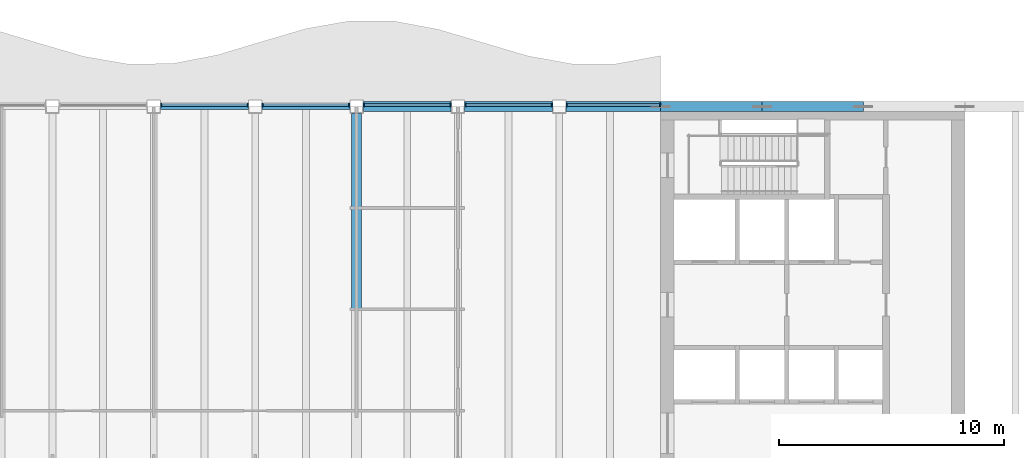
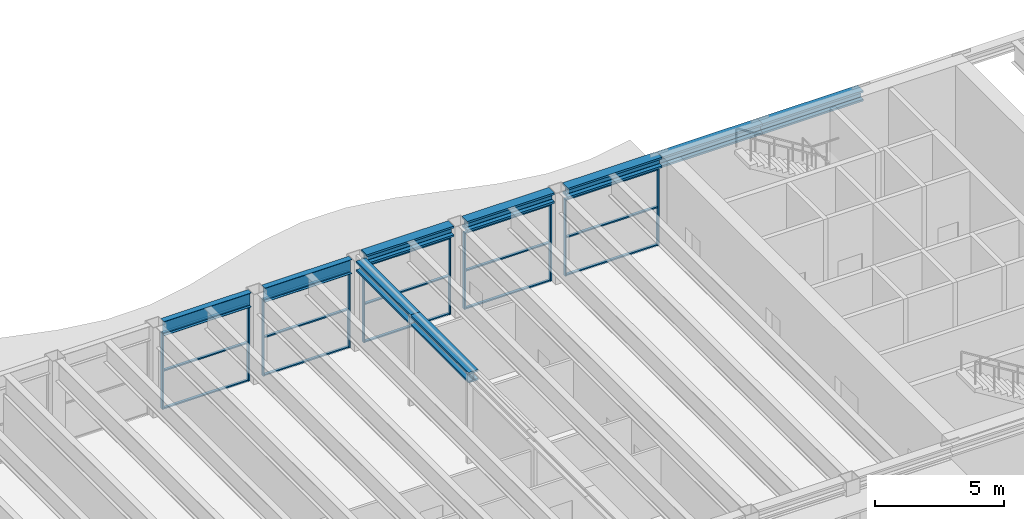
# One storey, part 7 of 15: 32 members, 2 beams, 5 elements without a shape of their own.
"""IFC4 building model written with IfcOpenShell, lengths in metres."""

from ifc_helpers import new_model, si_unit, direction, frame, origin, origin_2d, place, context, subcontext, project, spatial, rectangle, i_section, extrude, material, material_profile, profile_set, type_object, element, aggregate, save


model = new_model("IFC4")

# Units and contexts
model_context = context("Model", 3, precision=1e-05, world=origin(), true_north=direction((0.0, 1.0)))
body_context = subcontext(model_context, "Body", "Model", "MODEL_VIEW")
ifc_project = project(units=[si_unit("LENGTHUNIT", "METRE"), si_unit("AREAUNIT", "SQUARE_METRE"), si_unit("VOLUMEUNIT", "CUBIC_METRE"), si_unit("PLANEANGLEUNIT", "RADIAN"), si_unit("MASSUNIT", "GRAM", prefix="KILO")], contexts=[model_context])

# Site, building, storey
site_placement = place(None, origin())
site = spatial("IfcSite", under=ifc_project, at=site_placement, CompositionType="ELEMENT")
building_placement = place(site_placement, origin())
building = spatial("IfcBuilding", under=site, at=building_placement, Name="Sennacour Bend Tower", CompositionType="ELEMENT")
storey_placement = place(building_placement, frame((0.0, 0.0, 341.0)))
storey = spatial("IfcBuildingStorey", under=building, at=storey_placement, Name="L78", CompositionType="ELEMENT", Elevation=341.0)

# Curtain wall, members
ifc_material_1 = material(Name="Bronze anodised aluminium curtain wall with clear glass", Category="aluminium")
curtain_wall_type = type_object("IfcCurtainWallType", Name="CURTAIN WALL EXEC", PredefinedType="NOTDEFINED", material=ifc_material_1)
curtain_wall_1_placement = place(storey_placement, origin())
curtain_wall_1 = element("IfcCurtainWall", 1, at=curtain_wall_1_placement, inside=storey, type_object=curtain_wall_type, Name="Executive floor glass wall L78", PredefinedType="NOTDEFINED")
ifc_material_2 = material(Name="Aluminium 6063-T6", Category="aluminium")
ifc_material_profile_1 = material_profile(ifc_material_2, rectangle(XDim=0.14990234375, YDim=0.06005859375, at=origin_2d()), Name="Aluminium 6063-T6", Category="aluminium")
ifc_profile_set_1 = profile_set([ifc_material_profile_1], Name="Aluminium 6063-T6")
member_type_1 = type_object("IfcMemberType", Name="CW-MULLION-150X60", PredefinedType="MULLION", material=ifc_profile_set_1)
member_1_placement = place(storey_placement, frame((53.969970703125, 22.574951171875, 0.0), z_axis=(0.0, 0.0, 1.0), x_axis=(0.0, -1.0, 0.0)))
member_1 = element("IfcMember", 2, at=member_1_placement, type_object=member_type_1, Name="GW3 curtain wall mullion 1", PredefinedType="MULLION", context=body_context, shape_type="SweptSolid", body=[
    extrude(rectangle(XDim=0.14990234375, YDim=0.06005859375, at=origin_2d()), origin(), (0.0, 0.0, 1.0), 3.6220703125),
])
member_2_placement = place(storey_placement, frame((49.830078125, 22.574951171875, 0.0), z_axis=(0.0, 0.0, 1.0), x_axis=(0.0, -1.0, 0.0)))
member_2 = element("IfcMember", 3, at=member_2_placement, type_object=member_type_1, Name="GW3 curtain wall mullion 2", PredefinedType="MULLION", context=body_context, shape_type="SweptSolid", body=[
    extrude(rectangle(XDim=0.14990234375, YDim=0.06005859375, at=origin_2d()), origin(), (0.0, 0.0, 1.0), 3.6220703125),
])

curtain_wall_2_placement = place(storey_placement, origin())
curtain_wall_2 = element("IfcCurtainWall", 4, at=curtain_wall_2_placement, inside=storey, type_object=curtain_wall_type, Name="Executive floor glass wall L78", PredefinedType="NOTDEFINED")
member_3_placement = place(storey_placement, frame((49.169921875, 22.574951171875, 0.0), z_axis=(0.0, 0.0, 1.0), x_axis=(0.0, -1.0, 0.0)))
member_3 = element("IfcMember", 5, at=member_3_placement, type_object=member_type_1, Name="GW3 curtain wall mullion 1", PredefinedType="MULLION", context=body_context, shape_type="SweptSolid", body=[
    extrude(rectangle(XDim=0.14990234375, YDim=0.06005859375, at=origin_2d()), origin(), (0.0, 0.0, 1.0), 3.6220703125),
])
member_4_placement = place(storey_placement, frame((45.330078125, 22.574951171875, 0.0), z_axis=(0.0, 0.0, 1.0), x_axis=(0.0, -1.0, 0.0)))
member_4 = element("IfcMember", 6, at=member_4_placement, type_object=member_type_1, Name="GW3 curtain wall mullion 2", PredefinedType="MULLION", context=body_context, shape_type="SweptSolid", body=[
    extrude(rectangle(XDim=0.14990234375, YDim=0.06005859375, at=origin_2d()), origin(), (0.0, 0.0, 1.0), 3.6220703125),
])

curtain_wall_3_placement = place(storey_placement, origin())
curtain_wall_3 = element("IfcCurtainWall", 7, at=curtain_wall_3_placement, inside=storey, type_object=curtain_wall_type, Name="Executive floor glass wall L78", PredefinedType="NOTDEFINED")
member_5_placement = place(storey_placement, frame((44.669921875, 22.574951171875, 0.0), z_axis=(0.0, 0.0, 1.0), x_axis=(0.0, -1.0, 0.0)))
member_5 = element("IfcMember", 8, at=member_5_placement, type_object=member_type_1, Name="GW3 curtain wall mullion 1", PredefinedType="MULLION", context=body_context, shape_type="SweptSolid", body=[
    extrude(rectangle(XDim=0.14990234375, YDim=0.06005859375, at=origin_2d()), origin(), (0.0, 0.0, 1.0), 3.6220703125),
])
member_6_placement = place(storey_placement, frame((40.830078125, 22.574951171875, 0.0), z_axis=(0.0, 0.0, 1.0), x_axis=(0.0, -1.0, 0.0)))
member_6 = element("IfcMember", 9, at=member_6_placement, type_object=member_type_1, Name="GW3 curtain wall mullion 2", PredefinedType="MULLION", context=body_context, shape_type="SweptSolid", body=[
    extrude(rectangle(XDim=0.14990234375, YDim=0.06005859375, at=origin_2d()), origin(), (0.0, 0.0, 1.0), 3.6220703125),
])

curtain_wall_4_placement = place(storey_placement, origin())
curtain_wall_4 = element("IfcCurtainWall", 10, at=curtain_wall_4_placement, inside=storey, type_object=curtain_wall_type, Name="Executive floor glass wall L78", PredefinedType="NOTDEFINED")
member_7_placement = place(storey_placement, frame((40.169921875, 22.574951171875, 0.0), z_axis=(0.0, 0.0, 1.0), x_axis=(0.0, -1.0, 0.0)))
member_7 = element("IfcMember", 11, at=member_7_placement, type_object=member_type_1, Name="GW3 curtain wall mullion 1", PredefinedType="MULLION", context=body_context, shape_type="SweptSolid", body=[
    extrude(rectangle(XDim=0.14990234375, YDim=0.06005859375, at=origin_2d()), origin(), (0.0, 0.0, 1.0), 3.6220703125),
])
member_8_placement = place(storey_placement, frame((36.330078125, 22.574951171875, 0.0), z_axis=(0.0, 0.0, 1.0), x_axis=(0.0, -1.0, 0.0)))
member_8 = element("IfcMember", 12, at=member_8_placement, type_object=member_type_1, Name="GW3 curtain wall mullion 2", PredefinedType="MULLION", context=body_context, shape_type="SweptSolid", body=[
    extrude(rectangle(XDim=0.14990234375, YDim=0.06005859375, at=origin_2d()), origin(), (0.0, 0.0, 1.0), 3.6220703125),
])

curtain_wall_5_placement = place(storey_placement, origin())
curtain_wall_5 = element("IfcCurtainWall", 13, at=curtain_wall_5_placement, inside=storey, type_object=curtain_wall_type, Name="Executive floor glass wall L78", PredefinedType="NOTDEFINED")
member_9_placement = place(storey_placement, frame((35.669921875, 22.574951171875, 0.0), z_axis=(0.0, 0.0, 1.0), x_axis=(0.0, -1.0, 0.0)))
member_9 = element("IfcMember", 14, at=member_9_placement, type_object=member_type_1, Name="GW3 curtain wall mullion 1", PredefinedType="MULLION", context=body_context, shape_type="SweptSolid", body=[
    extrude(rectangle(XDim=0.14990234375, YDim=0.06005859375, at=origin_2d()), origin(), (0.0, 0.0, 1.0), 3.6220703125),
])
member_10_placement = place(storey_placement, frame((31.830078125, 22.574951171875, 0.0), z_axis=(0.0, 0.0, 1.0), x_axis=(0.0, -1.0, 0.0)))
member_10 = element("IfcMember", 15, at=member_10_placement, type_object=member_type_1, Name="GW3 curtain wall mullion 2", PredefinedType="MULLION", context=body_context, shape_type="SweptSolid", body=[
    extrude(rectangle(XDim=0.14990234375, YDim=0.06005859375, at=origin_2d()), origin(), (0.0, 0.0, 1.0), 3.6220703125),
])

# Member
ifc_material_profile_2 = material_profile(ifc_material_2, rectangle(XDim=0.1201171875, YDim=0.06005859375, at=origin_2d()), Name="Aluminium 6063-T6", Category="aluminium")
ifc_profile_set_2 = profile_set([ifc_material_profile_2], Name="Aluminium 6063-T6")
member_type_2 = type_object("IfcMemberType", Name="CW-TRANSOM-120X60", PredefinedType="USERDEFINED", material=ifc_profile_set_2)
member_11_placement = place(storey_placement, frame((53.93994140625, 22.574951171875, 0.030029296875), z_axis=(-1.0, 0.0, 0.0), x_axis=(0.0, -1.0, 0.0)))
member_11 = element("IfcMember", 16, at=member_11_placement, type_object=member_type_2, Name="GW3 curtain wall transom 1.1", ObjectType="TRANSOM", PredefinedType="USERDEFINED", context=body_context, shape_type="SweptSolid", body=[
    extrude(rectangle(XDim=0.1201171875, YDim=0.06005859375, at=origin_2d()), origin(), (0.0, 0.0, 1.0), 4.079833984375),
])

member_12_placement = place(storey_placement, frame((53.93994140625, 22.574951171875, 1.81103515625), z_axis=(-1.0, 0.0, 0.0), x_axis=(0.0, -1.0, 0.0)))
member_12 = element("IfcMember", 17, at=member_12_placement, type_object=member_type_2, Name="GW3 curtain wall transom 1.2", ObjectType="TRANSOM", PredefinedType="USERDEFINED", context=body_context, shape_type="SweptSolid", body=[
    extrude(rectangle(XDim=0.1201171875, YDim=0.06005859375, at=origin_2d()), origin(), (0.0, 0.0, 1.0), 4.079833984375),
])

member_13_placement = place(storey_placement, frame((53.93994140625, 22.574951171875, 3.592041015625), z_axis=(-1.0, 0.0, 0.0), x_axis=(0.0, -1.0, 0.0)))
member_13 = element("IfcMember", 18, at=member_13_placement, type_object=member_type_2, Name="GW3 curtain wall transom 1.3", ObjectType="TRANSOM", PredefinedType="USERDEFINED", context=body_context, shape_type="SweptSolid", body=[
    extrude(rectangle(XDim=0.1201171875, YDim=0.06005859375, at=origin_2d()), origin(), (0.0, 0.0, 1.0), 4.079833984375),
])

aggregate(curtain_wall_1, [member_1, member_2, member_11, member_12, member_13])

member_14_placement = place(storey_placement, frame((49.139892578125, 22.574951171875, 0.030029296875), z_axis=(-1.0, 0.0, 0.0), x_axis=(0.0, -1.0, 0.0)))
member_14 = element("IfcMember", 19, at=member_14_placement, type_object=member_type_2, Name="GW3 curtain wall transom 1.1", ObjectType="TRANSOM", PredefinedType="USERDEFINED", context=body_context, shape_type="SweptSolid", body=[
    extrude(rectangle(XDim=0.1201171875, YDim=0.06005859375, at=origin_2d()), origin(), (0.0, 0.0, 1.0), 3.77978515625),
])

member_15_placement = place(storey_placement, frame((49.139892578125, 22.574951171875, 1.81103515625), z_axis=(-1.0, 0.0, 0.0), x_axis=(0.0, -1.0, 0.0)))
member_15 = element("IfcMember", 20, at=member_15_placement, type_object=member_type_2, Name="GW3 curtain wall transom 1.2", ObjectType="TRANSOM", PredefinedType="USERDEFINED", context=body_context, shape_type="SweptSolid", body=[
    extrude(rectangle(XDim=0.1201171875, YDim=0.06005859375, at=origin_2d()), origin(), (0.0, 0.0, 1.0), 3.77978515625),
])

member_16_placement = place(storey_placement, frame((49.139892578125, 22.574951171875, 3.592041015625), z_axis=(-1.0, 0.0, 0.0), x_axis=(0.0, -1.0, 0.0)))
member_16 = element("IfcMember", 21, at=member_16_placement, type_object=member_type_2, Name="GW3 curtain wall transom 1.3", ObjectType="TRANSOM", PredefinedType="USERDEFINED", context=body_context, shape_type="SweptSolid", body=[
    extrude(rectangle(XDim=0.1201171875, YDim=0.06005859375, at=origin_2d()), origin(), (0.0, 0.0, 1.0), 3.77978515625),
])

aggregate(curtain_wall_2, [member_3, member_4, member_14, member_15, member_16])

member_17_placement = place(storey_placement, frame((44.639892578125, 22.574951171875, 0.030029296875), z_axis=(-1.0, 0.0, 0.0), x_axis=(0.0, -1.0, 0.0)))
member_17 = element("IfcMember", 22, at=member_17_placement, type_object=member_type_2, Name="GW3 curtain wall transom 1.1", ObjectType="TRANSOM", PredefinedType="USERDEFINED", context=body_context, shape_type="SweptSolid", body=[
    extrude(rectangle(XDim=0.1201171875, YDim=0.06005859375, at=origin_2d()), origin(), (0.0, 0.0, 1.0), 3.77978515625),
])

member_18_placement = place(storey_placement, frame((44.639892578125, 22.574951171875, 1.81103515625), z_axis=(-1.0, 0.0, 0.0), x_axis=(0.0, -1.0, 0.0)))
member_18 = element("IfcMember", 23, at=member_18_placement, type_object=member_type_2, Name="GW3 curtain wall transom 1.2", ObjectType="TRANSOM", PredefinedType="USERDEFINED", context=body_context, shape_type="SweptSolid", body=[
    extrude(rectangle(XDim=0.1201171875, YDim=0.06005859375, at=origin_2d()), origin(), (0.0, 0.0, 1.0), 3.77978515625),
])

member_19_placement = place(storey_placement, frame((44.639892578125, 22.574951171875, 3.592041015625), z_axis=(-1.0, 0.0, 0.0), x_axis=(0.0, -1.0, 0.0)))
member_19 = element("IfcMember", 24, at=member_19_placement, type_object=member_type_2, Name="GW3 curtain wall transom 1.3", ObjectType="TRANSOM", PredefinedType="USERDEFINED", context=body_context, shape_type="SweptSolid", body=[
    extrude(rectangle(XDim=0.1201171875, YDim=0.06005859375, at=origin_2d()), origin(), (0.0, 0.0, 1.0), 3.77978515625),
])

aggregate(curtain_wall_3, [member_5, member_6, member_17, member_18, member_19])

member_20_placement = place(storey_placement, frame((40.139892578125, 22.574951171875, 0.030029296875), z_axis=(-1.0, 0.0, 0.0), x_axis=(0.0, -1.0, 0.0)))
member_20 = element("IfcMember", 25, at=member_20_placement, type_object=member_type_2, Name="GW3 curtain wall transom 1.1", ObjectType="TRANSOM", PredefinedType="USERDEFINED", context=body_context, shape_type="SweptSolid", body=[
    extrude(rectangle(XDim=0.1201171875, YDim=0.06005859375, at=origin_2d()), origin(), (0.0, 0.0, 1.0), 3.77978515625),
])

member_21_placement = place(storey_placement, frame((40.139892578125, 22.574951171875, 1.81103515625), z_axis=(-1.0, 0.0, 0.0), x_axis=(0.0, -1.0, 0.0)))
member_21 = element("IfcMember", 26, at=member_21_placement, type_object=member_type_2, Name="GW3 curtain wall transom 1.2", ObjectType="TRANSOM", PredefinedType="USERDEFINED", context=body_context, shape_type="SweptSolid", body=[
    extrude(rectangle(XDim=0.1201171875, YDim=0.06005859375, at=origin_2d()), origin(), (0.0, 0.0, 1.0), 3.77978515625),
])

member_22_placement = place(storey_placement, frame((40.139892578125, 22.574951171875, 3.592041015625), z_axis=(-1.0, 0.0, 0.0), x_axis=(0.0, -1.0, 0.0)))
member_22 = element("IfcMember", 27, at=member_22_placement, type_object=member_type_2, Name="GW3 curtain wall transom 1.3", ObjectType="TRANSOM", PredefinedType="USERDEFINED", context=body_context, shape_type="SweptSolid", body=[
    extrude(rectangle(XDim=0.1201171875, YDim=0.06005859375, at=origin_2d()), origin(), (0.0, 0.0, 1.0), 3.77978515625),
])

aggregate(curtain_wall_4, [member_7, member_8, member_20, member_21, member_22])

member_23_placement = place(storey_placement, frame((35.639892578125, 22.574951171875, 0.030029296875), z_axis=(-1.0, 0.0, 0.0), x_axis=(0.0, -1.0, 0.0)))
member_23 = element("IfcMember", 28, at=member_23_placement, type_object=member_type_2, Name="GW3 curtain wall transom 1.1", ObjectType="TRANSOM", PredefinedType="USERDEFINED", context=body_context, shape_type="SweptSolid", body=[
    extrude(rectangle(XDim=0.1201171875, YDim=0.06005859375, at=origin_2d()), origin(), (0.0, 0.0, 1.0), 3.77978515625),
])

member_24_placement = place(storey_placement, frame((35.639892578125, 22.574951171875, 1.81103515625), z_axis=(-1.0, 0.0, 0.0), x_axis=(0.0, -1.0, 0.0)))
member_24 = element("IfcMember", 29, at=member_24_placement, type_object=member_type_2, Name="GW3 curtain wall transom 1.2", ObjectType="TRANSOM", PredefinedType="USERDEFINED", context=body_context, shape_type="SweptSolid", body=[
    extrude(rectangle(XDim=0.1201171875, YDim=0.06005859375, at=origin_2d()), origin(), (0.0, 0.0, 1.0), 3.77978515625),
])

member_25_placement = place(storey_placement, frame((35.639892578125, 22.574951171875, 3.592041015625), z_axis=(-1.0, 0.0, 0.0), x_axis=(0.0, -1.0, 0.0)))
member_25 = element("IfcMember", 30, at=member_25_placement, type_object=member_type_2, Name="GW3 curtain wall transom 1.3", ObjectType="TRANSOM", PredefinedType="USERDEFINED", context=body_context, shape_type="SweptSolid", body=[
    extrude(rectangle(XDim=0.1201171875, YDim=0.06005859375, at=origin_2d()), origin(), (0.0, 0.0, 1.0), 3.77978515625),
])

aggregate(curtain_wall_5, [member_9, member_10, member_23, member_24, member_25])

# Members
ifc_material_3 = material(Name="Steel ASTM A992 Grade 50", Category="steel")
ifc_material_profile_3 = material_profile(ifc_material_3, i_section(OverallWidth=0.431884765625, OverallDepth=0.498046875, WebThickness=0.0556640625, FlangeThickness=0.0888671875, FilletRadius=0.01513671875, at=origin_2d()), Name="Steel ASTM A992 Grade 50", Category="steel")
ifc_profile_set_3 = profile_set([ifc_material_profile_3], Name="Steel ASTM A992 Grade 50")
member_type_3 = type_object("IfcMemberType", Name="Lounge truss chord W360X744", PredefinedType="CHORD", material=ifc_profile_set_3)
for number, where, z_axis, x_axis, name in (
    (31, (40.800048828125, 22.5, 4.051025390625), (1.0, 0.0, 0.0), (0.0, 1.0, 0.0), "Lounge truss chord LTC L79-009"),
    (32, (45.300048828125, 22.5, 4.051025390625), (1.0, 0.0, 0.0), (0.0, 1.0, 0.0), "Lounge truss chord LTC L79-010"),
):
    element("IfcMember", number, at=place(storey_placement, frame(where, z_axis=z_axis, x_axis=x_axis)), inside=storey, type_object=member_type_3, Name=name, PredefinedType="CHORD", context=body_context, shape_type="SweptSolid", body=[
        extrude(i_section(OverallWidth=0.431884765625, OverallDepth=0.498046875, WebThickness=0.0556640625, FlangeThickness=0.0888671875, FilletRadius=0.01513671875, at=origin_2d()), origin(), (0.0, 0.0, 1.0), 3.89990234375),
    ])
member_26_placement = place(storey_placement, frame((49.800048828125, 22.5, 4.051025390625), z_axis=(1.0, 0.0, 0.0), x_axis=(0.0, 1.0, 0.0)))
element("IfcMember", 33, at=member_26_placement, inside=storey, type_object=member_type_3, Name="Lounge truss chord LTC L79-011", PredefinedType="CHORD", context=body_context, shape_type="SweptSolid", body=[
    extrude(i_section(OverallWidth=0.431884765625, OverallDepth=0.498046875, WebThickness=0.0556640625, FlangeThickness=0.0888671875, FilletRadius=0.01513671875, at=origin_2d()), origin(), (0.0, 0.0, 1.0), 4.199951171875),
])
for number, where, z_axis, x_axis, name in (
    (34, (54.0, 22.5, 4.051025390625), (1.0, 0.0, 0.0), (0.0, 1.0, 0.0), "Lounge truss chord LTC L79-012"),
    (35, (58.5, 22.5, 4.051025390625), (1.0, 0.0, 0.0), (0.0, 1.0, 0.0), "Lounge truss chord LTC L79-013"),
    (36, (40.5, 13.5, 4.0009765625), (0.0, 1.0, 0.0), (-1.0, 0.0, 0.0), "Lounge truss chord LTC L79-020"),
):
    element("IfcMember", number, at=place(storey_placement, frame(where, z_axis=z_axis, x_axis=x_axis)), inside=storey, type_object=member_type_3, Name=name, PredefinedType="CHORD", context=body_context, shape_type="SweptSolid", body=[
        extrude(i_section(OverallWidth=0.431884765625, OverallDepth=0.498046875, WebThickness=0.0556640625, FlangeThickness=0.0888671875, FilletRadius=0.01513671875, at=origin_2d()), origin(), (0.0, 0.0, 1.0), 4.5),
    ])
member_27_placement = place(storey_placement, frame((40.5, 18.0, 4.0009765625), z_axis=(0.0, 1.0, 0.0), x_axis=(-1.0, 0.0, 0.0)))
element("IfcMember", 37, at=member_27_placement, inside=storey, type_object=member_type_3, Name="Lounge truss chord LTC L79-021", PredefinedType="CHORD", context=body_context, shape_type="SweptSolid", body=[
    extrude(i_section(OverallWidth=0.431884765625, OverallDepth=0.498046875, WebThickness=0.0556640625, FlangeThickness=0.0888671875, FilletRadius=0.01513671875, at=origin_2d()), origin(), (0.0, 0.0, 1.0), 4.199951171875),
])

# Beams
ifc_material_profile_4 = material_profile(ifc_material_3, i_section(OverallWidth=0.25390625, OverallDepth=0.677978515625, WebThickness=0.01171875, FlangeThickness=0.016357421875, FilletRadius=0.01513671875, at=origin_2d()), Name="Steel ASTM A992 Grade 50", Category="steel")
ifc_profile_set_4 = profile_set([ifc_material_profile_4], Name="Steel ASTM A992 Grade 50")
beam_type = type_object("IfcBeamType", Name="Spandrel beam W690X125", PredefinedType="SPANDREL", material=ifc_profile_set_4)
for number, where, z_axis, x_axis, name in (
    (38, (31.800048828125, 22.5, 3.910888671875), (1.0, 0.0, 0.0), (0.0, 1.0, 0.0), "Spandrel beam SP7 L79-008"),
    (39, (36.300048828125, 22.5, 3.910888671875), (1.0, 0.0, 0.0), (0.0, 1.0, 0.0), "Spandrel beam SP7 L79-009"),
):
    element("IfcBeam", number, at=place(storey_placement, frame(where, z_axis=z_axis, x_axis=x_axis)), inside=storey, type_object=beam_type, Name=name, PredefinedType="SPANDREL", context=body_context, shape_type="SweptSolid", body=[
        extrude(i_section(OverallWidth=0.25390625, OverallDepth=0.677978515625, WebThickness=0.01171875, FlangeThickness=0.016357421875, FilletRadius=0.01513671875, at=origin_2d()), origin(), (0.0, 0.0, 1.0), 3.89990234375),
    ])

save(model, "model.ifc")
